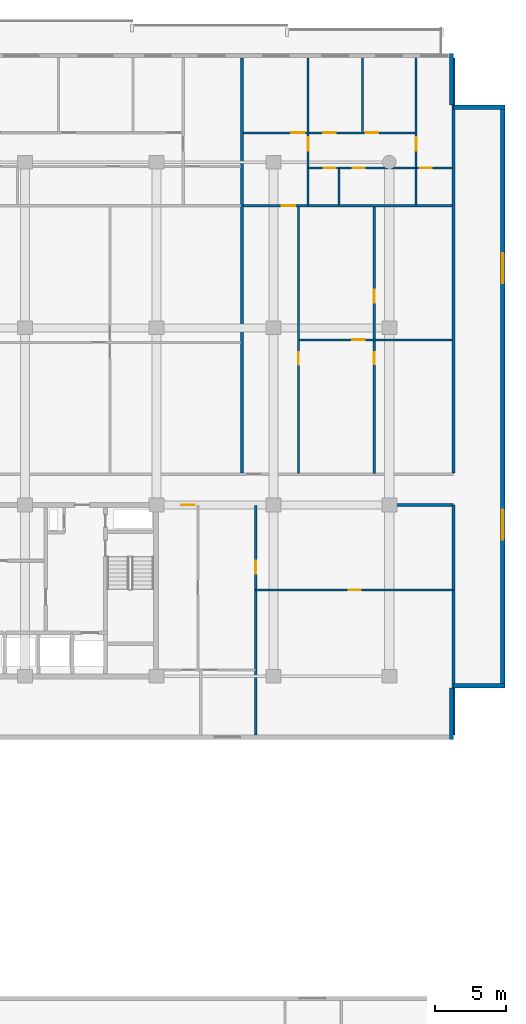
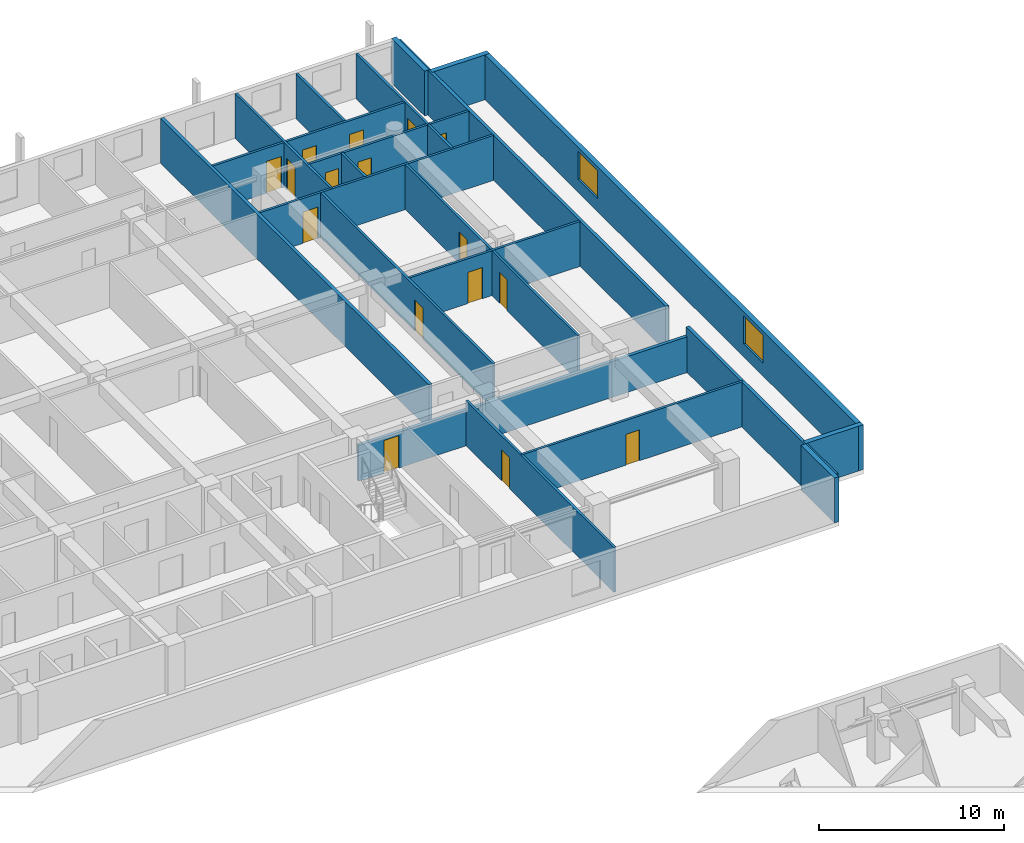
# One storey, part 17 of 23: 22 walls, 16 doors, 2 windows, 18 openings.
"""IFC4 building model written with IfcOpenShell, lengths in metres."""

import ifcopenshell
import ifcopenshell.guid

model = None  # the IFC model being written
_history = None  # IfcOwnerHistory: only IFC2X3 demands one
_inside = {}  # id of a spatial element -> (the spatial element, [elements in it])
_under = {}  # id of a project, library or spatial element -> (it, [spatial elements below it])
_declared = {}  # id of a project -> (the project, [libraries it declares])
_typed = {}  # id of a type object -> (the type object, [elements of that type])
_made_of = {}  # id of a material, layer set ... -> (it, [elements and type objects made of it])


def new_model(schema):
    """Start an empty IFC model of exactly this schema.

    Asked for "IFC4X3", IfcOpenShell would pick the latest addendum, in which some entities
    have other attributes; the version numbers below select the first issue.
    IFC2X3 requires an IfcOwnerHistory on every rooted entity: one is made here for all.
    """
    global model, _history
    if schema == "IFC4X3":
        model = ifcopenshell.file(schema_version=(4, 3, 0, 0))
    else:
        model = ifcopenshell.file(schema=schema)
    _inside.clear()
    _under.clear()
    _declared.clear()
    _typed.clear()
    _made_of.clear()
    _history = None
    if model.schema == "IFC2X3":
        org = make("IfcOrganization", Name="unknown")
        user = make(
            "IfcPersonAndOrganization",
            ThePerson=make("IfcPerson", FamilyName="unknown"),
            TheOrganization=org,
        )
        app = make(
            "IfcApplication",
            ApplicationDeveloper=org,
            Version="unknown",
            ApplicationFullName="unknown",
            ApplicationIdentifier="unknown",
        )
        _history = make(
            "IfcOwnerHistory",
            OwningUser=user,
            OwningApplication=app,
            ChangeAction="ADDED",
            CreationDate=0,
        )
    return model


def make(cls, **values):
    """One entity of the class cls with the attributes given. An attribute that is None is left unset."""
    return model.create_entity(
        cls, **{name: value for name, value in values.items() if value is not None}
    )


def rooted(cls, **values):
    """An entity with a GlobalId (a new one), such as an element, a storey or a relation."""
    return make(cls, GlobalId=ifcopenshell.guid.new(), OwnerHistory=_history, **values)


def si_unit(unit_type, name, prefix=None):
    """IfcSIUnit, for example si_unit("LENGTHUNIT", "METRE", prefix="MILLI")."""
    return make("IfcSIUnit", UnitType=unit_type, Prefix=prefix, Name=name)


def assignment(units):
    """IfcUnitAssignment: the units of a project."""
    return None if units is None else make("IfcUnitAssignment", Units=units)


def point(xyz):
    """IfcCartesianPoint."""
    return None if xyz is None else make("IfcCartesianPoint", Coordinates=xyz)


def direction(xyz):
    """IfcDirection."""
    return None if xyz is None else make("IfcDirection", DirectionRatios=xyz)


def frame(location, z_axis=None, x_axis=None):
    """IfcAxis2Placement3D, a coordinate frame: its origin and axes. An axis left out is left unset."""
    return make(
        "IfcAxis2Placement3D",
        Location=point(location),
        Axis=direction(z_axis),
        RefDirection=direction(x_axis),
    )


def frame_2d(location, x_axis=None):
    """IfcAxis2Placement2D, a coordinate frame in the plane: its origin and x axis."""
    return make(
        "IfcAxis2Placement2D", Location=point(location), RefDirection=direction(x_axis)
    )


def origin():
    """The frame at (0, 0, 0) with its axes left unset."""
    return frame((0.0, 0.0, 0.0))


def place(relative_to, where):
    """IfcLocalPlacement: puts the frame where relative to a parent placement (None: the world)."""
    return make(
        "IfcLocalPlacement", PlacementRelTo=relative_to, RelativePlacement=where
    )


def context(
    kind, dimensions, precision=None, world=None, true_north=None, identifier=None
):
    """IfcGeometricRepresentationContext, for example the 3D "Model" context."""
    return make(
        "IfcGeometricRepresentationContext",
        ContextIdentifier=identifier,
        ContextType=kind,
        CoordinateSpaceDimension=dimensions,
        Precision=precision,
        WorldCoordinateSystem=world,
        TrueNorth=true_north,
    )


def subcontext(parent, identifier, kind, view, scale=None):
    """IfcGeometricRepresentationSubContext, for example "Body" below "Model"."""
    return make(
        "IfcGeometricRepresentationSubContext",
        ContextIdentifier=identifier,
        ContextType=kind,
        ParentContext=parent,
        TargetScale=scale,
        TargetView=view,
    )


def project(units=None, contexts=None):
    """IfcProject with its units and contexts."""
    return rooted(
        "IfcProject",
        Name="project",
        RepresentationContexts=contexts,
        UnitsInContext=assignment(units),
    )


def spatial(cls, under=None, at=None, **own):
    """A site, building, storey or space (cls), placed at a placement, below another one or the project."""
    s = rooted(cls, ObjectPlacement=at, **own)
    if under is not None:
        _under.setdefault(under.id(), (under, []))[1].append(s)
    return s


def profile(cls, at=None, kind="AREA", **sizes):
    """A parametric profile (cls). Its sizes go by their IFC names, for example OverallWidth=200.0."""
    return make(cls, ProfileType=kind, Position=at, **sizes)


def rectangle(**sizes):
    """IfcRectangleProfileDef."""
    return profile("IfcRectangleProfileDef", **sizes)


def extrude(swept, where, along, depth):
    """IfcExtrudedAreaSolid: the profile swept, set in the frame where, extruded along a direction by depth."""
    return make(
        "IfcExtrudedAreaSolid",
        SweptArea=swept,
        Position=where,
        ExtrudedDirection=direction(along),
        Depth=depth,
    )


def shape(context_of_items, identifier, shape_type, items):
    """IfcShapeRepresentation: the items that make up one representation, for example the "Body"."""
    return make(
        "IfcShapeRepresentation",
        ContextOfItems=context_of_items,
        RepresentationIdentifier=identifier,
        RepresentationType=shape_type,
        Items=items,
    )


def material(Name=None, Category=None):
    """IfcMaterial."""
    return make("IfcMaterial", Name=Name, Category=Category)


def layer(
    of_material, thickness, ventilated=None, Name=None, Category=None, Priority=None
):
    """IfcMaterialLayer: one layer of a wall or slab, of a material (None: an air gap)."""
    return make(
        "IfcMaterialLayer",
        Material=of_material,
        LayerThickness=thickness,
        IsVentilated=ventilated,
        Name=Name,
        Category=Category,
        Priority=Priority,
    )


def layer_set(layers, Name=None):
    """IfcMaterialLayerSet."""
    return make("IfcMaterialLayerSet", MaterialLayers=layers, LayerSetName=Name)


def made_of(thing, what):
    """Note that an element or type object is made of a material, layer set ...; save() writes the relation."""
    if what is not None:
        _made_of.setdefault(what.id(), (what, []))[1].append(thing)
    return thing


def type_object(cls, material=None, **own):
    """A type object (cls), such as IfcWallType, which elements share."""
    return made_of(rooted(cls, **own), material)


def element(
    cls,
    number,
    at=None,
    inside=None,
    cuts=None,
    type_object=None,
    material=None,
    context=None,
    identifier="Body",
    shape_type=None,
    held_by="IfcProductDefinitionShape",
    body=None,
    shapes=None,
    **own,
):
    """One element of the class cls, such as IfcWall. Its Tag is "e" and its number.

    at: its placement. inside: the storey or other place that contains it. cuts: it is an
    opening in that element (IfcRelVoidsElement). A single representation is given by context,
    identifier, shape_type and body (its items); several are given by shapes. held_by: the class
    of the entity that holds the representations. save() writes the other relations.
    """
    e = rooted(cls, Tag="e%d" % number, ObjectPlacement=at, **own)
    if body is not None:
        shapes = [shape(context, identifier, shape_type, body)]
    if shapes is not None:
        e.Representation = make(held_by, Representations=shapes)
    if inside is not None:
        _inside.setdefault(inside.id(), (inside, []))[1].append(e)
    if cuts is not None:
        rooted(
            "IfcRelVoidsElement", RelatingBuildingElement=cuts, RelatedOpeningElement=e
        )
    if type_object is not None:
        _typed.setdefault(type_object.id(), (type_object, []))[1].append(e)
    return made_of(e, material)


def fill(opening, filler):
    """IfcRelFillsElement: the door or window that sits in an opening."""
    return rooted(
        "IfcRelFillsElement",
        RelatingOpeningElement=opening,
        RelatedBuildingElement=filler,
    )


def aggregate(whole, parts):
    """IfcRelAggregates: a whole, such as a stair, and the parts it consists of."""
    return rooted("IfcRelAggregates", RelatingObject=whole, RelatedObjects=parts)


def save(model, path):
    """Write the relations noted so far, then the file.

    IfcRelAggregates (storeys below a building ...), IfcRelContainedInSpatialStructure (elements
    in a storey), IfcRelDefinesByType, IfcRelAssociatesMaterial and IfcRelDeclares: one each for
    every whole, place, type object, material and project.
    """
    for whole, parts in _under.values():
        aggregate(whole, parts)
    for where, things in _inside.values():
        rooted(
            "IfcRelContainedInSpatialStructure",
            RelatedElements=things,
            RelatingStructure=where,
        )
    for kind, things in _typed.values():
        rooted("IfcRelDefinesByType", RelatedObjects=things, RelatingType=kind)
    for what, things in _made_of.values():
        rooted("IfcRelAssociatesMaterial", RelatedObjects=things, RelatingMaterial=what)
    for by, libraries in _declared.values():
        rooted("IfcRelDeclares", RelatingContext=by, RelatedDefinitions=libraries)
    model.write(path)


model = new_model("IFC4")

# Units and contexts
model_context = context("Model", 3, precision=1e-05, world=origin(), true_north=direction((0.0, 1.0)))
body_context = subcontext(model_context, "Body", "Model", "MODEL_VIEW")
ifc_project = project(units=[si_unit("LENGTHUNIT", "METRE"), si_unit("AREAUNIT", "SQUARE_METRE"), si_unit("VOLUMEUNIT", "CUBIC_METRE"), si_unit("PLANEANGLEUNIT", "RADIAN"), si_unit("MASSUNIT", "GRAM", prefix="KILO")], contexts=[model_context])

# Site, building, storey
site_placement = place(None, origin())
site = spatial("IfcSite", under=ifc_project, at=site_placement, CompositionType="ELEMENT")
building_placement = place(site_placement, origin())
building = spatial("IfcBuilding", under=site, at=building_placement, Name="Korimba Cascade Residences", CompositionType="ELEMENT")
storey_placement = place(building_placement, frame((0.0, 0.0, 56.5)))
storey = spatial("IfcBuildingStorey", under=building, at=storey_placement, Name="L15", CompositionType="ELEMENT", Elevation=56.5)

# Walls
ifc_material_1 = material(Name="Precast concrete C40/50", Category="concrete")
ifc_layer_1 = layer(ifc_material_1, 0.300048828125)
ifc_layer_set_1 = layer_set([ifc_layer_1], Name="Precast concrete C40/50")
wall_type_1 = type_object("IfcWallType", Name="EW-STONE-300", PredefinedType="STANDARD", material=ifc_layer_set_1)
wall_1_placement = place(storey_placement, frame((132.75, 50.800048828125, 0.0), z_axis=(0.0, 0.0, 1.0), x_axis=(0.0, 1.0, 0.0)))
element("IfcWall", 1, at=wall_1_placement, inside=storey, type_object=wall_type_1, Name="L15 T1 Perimeter Stone Wall E01", PredefinedType="STANDARD", context=body_context, shape_type="SweptSolid", body=[
    extrude(rectangle(XDim=3.599853515625, YDim=0.300048828125, at=frame_2d((1.7998046875, 0.0))), origin(), (0.0, 0.0, 1.0), 2.969970703125),
])
wall_2_placement = place(storey_placement, frame((132.89990234375, 54.550048828125, 0.0), z_axis=(0.0, 0.0, 1.0), x_axis=(1.0, 0.0, 0.0)))
element("IfcWall", 2, at=wall_2_placement, inside=storey, type_object=wall_type_1, Name="L15 T1 Perimeter Stone Wall E02", PredefinedType="STANDARD", context=body_context, shape_type="SweptSolid", body=[
    extrude(rectangle(XDim=3.60009765625, YDim=0.300048828125, at=frame_2d((1.800048828125, 0.0))), origin(), (0.0, 0.0, 1.0), 2.969970703125),
])

# Wall, openings, windows
wall_3_placement = place(storey_placement, frame((136.35009765625, 54.39990234375, 0.0), z_axis=(0.0, 0.0, 1.0), x_axis=(0.0, 1.0, 0.0)))
wall_3 = element("IfcWall", 3, at=wall_3_placement, inside=storey, type_object=wall_type_1, Name="L15 T1 Perimeter Stone Wall E03", PredefinedType="STANDARD", context=body_context, shape_type="SweptSolid", body=[
    extrude(rectangle(XDim=40.800048828125, YDim=0.300048828125, at=frame_2d((20.39990234375, 0.0))), origin(), (0.0, 0.0, 1.0), 2.969970703125),
])
opening_1_placement = place(wall_3_placement, frame((10.3740234375, 0.0, 0.85009765625)))
opening_1 = element("IfcOpeningElement", 4, at=opening_1_placement, cuts=wall_3, Name="Opening W-03", PredefinedType="OPENING", context=body_context, shape_type="SweptSolid", body=[
    extrude(rectangle(XDim=2.10009765625, YDim=1.85009765625, at=frame_2d((1.050048828125, 0.925048828125))), frame((0.0, 0.16015625, 0.0), z_axis=(0.0, -1.0, 0.0), x_axis=(1.0, 0.0, 0.0)), (0.0, 0.0, 1.0), 0.320068359375),
])
opening_2_placement = place(wall_3_placement, frame((28.325927734375, 0.0, 0.85009765625)))
opening_2 = element("IfcOpeningElement", 5, at=opening_2_placement, cuts=wall_3, Name="Opening W-03", PredefinedType="OPENING", context=body_context, shape_type="SweptSolid", body=[
    extrude(rectangle(XDim=2.10009765625, YDim=1.85009765625, at=frame_2d((1.050048828125, 0.925048828125))), frame((0.0, 0.16015625, 0.0), z_axis=(0.0, -1.0, 0.0), x_axis=(1.0, 0.0, 0.0)), (0.0, 0.0, 1.0), 0.320068359375),
])
ifc_material_2 = material(Name="Double-Glazed Aluminium Window", Category="aluminium")
window_type = type_object("IfcWindowType", Name="WIN-CRN-2100", PartitioningType="DOUBLE_PANEL_HORIZONTAL", PredefinedType="WINDOW", material=ifc_material_2)
window_1_placement = place(opening_1_placement, origin())
window_1 = element("IfcWindow", 6, at=window_1_placement, inside=storey, type_object=window_type, Name="L15 T1 End View Window 3.1", OverallHeight=1.85009765625, OverallWidth=2.10009765625, PartitioningType="DOUBLE_PANEL_HORIZONTAL", PredefinedType="WINDOW", context=body_context, shape_type="SweptSolid", body=[
    extrude(rectangle(XDim=2.10009765625, YDim=1.85009765625, at=frame_2d((1.050048828125, 0.925048828125))), frame((0.0, 0.030029296875, 0.0), z_axis=(0.0, -1.0, 0.0), x_axis=(1.0, 0.0, 0.0)), (0.0, 0.0, 1.0), 0.06005859375),
])
fill(opening_1, window_1)
window_2_placement = place(opening_2_placement, origin())
window_2 = element("IfcWindow", 7, at=window_2_placement, inside=storey, type_object=window_type, Name="L15 T1 End View Window 3.2", OverallHeight=1.85009765625, OverallWidth=2.10009765625, PartitioningType="DOUBLE_PANEL_HORIZONTAL", PredefinedType="WINDOW", context=body_context, shape_type="SweptSolid", body=[
    extrude(rectangle(XDim=2.10009765625, YDim=1.85009765625, at=frame_2d((1.050048828125, 0.925048828125))), frame((0.0, 0.030029296875, 0.0), z_axis=(0.0, -1.0, 0.0), x_axis=(1.0, 0.0, 0.0)), (0.0, 0.0, 1.0), 0.06005859375),
])
fill(opening_2, window_2)

# Walls
for number, where, z_axis, x_axis, name in (
    (8, (136.5, 95.050048828125, 0.0), (0.0, 0.0, 1.0), (-1.0, 0.0, 0.0), "L15 T1 Perimeter Stone Wall E04"),
    (9, (132.75, 95.199951171875, 0.0), (0.0, 0.0, 1.0), (0.0, 1.0, 0.0), "L15 T1 Perimeter Stone Wall E05"),
):
    element("IfcWall", number, at=place(storey_placement, frame(where, z_axis=z_axis, x_axis=x_axis)), inside=storey, type_object=wall_type_1, Name=name, PredefinedType="STANDARD", context=body_context, shape_type="SweptSolid", body=[
        extrude(rectangle(XDim=3.60009765625, YDim=0.300048828125, at=frame_2d((1.800048828125, 0.0))), origin(), (0.0, 0.0, 1.0), 2.969970703125),
    ])
ifc_layer_2 = layer(ifc_material_1, 0.199951171875)
ifc_layer_set_2 = layer_set([ifc_layer_2], Name="Precast concrete C40/50")
wall_type_2 = type_object("IfcWallType", Name="WAL-IT-200", PredefinedType="PARTITIONING", material=ifc_layer_set_2)
wall_4_placement = place(storey_placement, frame((132.89990234375, 51.10009765625, 0.0), z_axis=(0.0, 0.0, 1.0), x_axis=(0.0, 1.0, 0.0)))
element("IfcWall", 10, at=wall_4_placement, inside=storey, type_object=wall_type_2, Name="L15 Partition Wall WAL-L15-T1-FE-WR", PredefinedType="PARTITIONING", context=body_context, shape_type="SweptSolid", body=[
    extrude(rectangle(XDim=16.099853515625, YDim=0.199951171875, at=frame_2d((8.0498046875, 0.0))), origin(), (0.0, 0.0, 1.0), 2.969970703125),
])

# Wall, opening, door
wall_5_placement = place(storey_placement, frame((112.25, 67.199951171875, 0.0), z_axis=(0.0, 0.0, 1.0), x_axis=(1.0, 0.0, 0.0)))
wall_5 = element("IfcWall", 11, at=wall_5_placement, inside=storey, type_object=wall_type_2, Name="L15 Partition Wall WAL-L15-T1-FE-N", PredefinedType="PARTITIONING", context=body_context, shape_type="SweptSolid", body=[
    extrude(rectangle(XDim=20.64990234375, YDim=0.199951171875, at=frame_2d((10.324951171875, 0.0))), origin(), (0.0, 0.0, 1.0), 2.3701171875),
])
opening_3_placement = place(wall_5_placement, frame((1.580078125, 0.0, 0.0)))
opening_3 = element("IfcOpeningElement", 12, at=opening_3_placement, cuts=wall_5, Name="Opening D-UN1", PredefinedType="OPENING", context=body_context, shape_type="SweptSolid", body=[
    extrude(rectangle(XDim=0.949951171875, YDim=2.14990234375, at=frame_2d((0.47509765625, 1.074951171875))), frame((0.0, 0.10986328125, 0.0), z_axis=(0.0, -1.0, 0.0), x_axis=(1.0, 0.0, 0.0)), (0.0, 0.0, 1.0), 0.219970703125),
])
ifc_material_3 = material(Name="Fire-Rated Hardwood Apartment Entrance Door", Category="wood")
door_type_1 = type_object("IfcDoorType", Name="DR-FD60-950", OperationType="NOTDEFINED", PredefinedType="DOOR", material=ifc_material_3)
door_1_placement = place(opening_3_placement, origin())
door_1 = element("IfcDoor", 13, at=door_1_placement, inside=storey, type_object=door_type_1, Name="L15-T1-FE Entrance Door", OperationType="SINGLE_SWING_LEFT", OverallHeight=2.14990234375, OverallWidth=0.949951171875, PredefinedType="DOOR", context=body_context, shape_type="SweptSolid", body=[
    extrude(rectangle(XDim=0.949951171875, YDim=2.14990234375, at=frame_2d((0.47509765625, 1.074951171875))), frame((0.0, 0.02490234375, 0.0), z_axis=(0.0, -1.0, 0.0), x_axis=(1.0, 0.0, 0.0)), (0.0, 0.0, 1.0), 0.050048828125),
])
fill(opening_3, door_1)

# Walls
for number, where, z_axis, x_axis, name in (
    (14, (132.89990234375, 69.429931640625, 0.0), (0.0, 0.0, 1.0), (0.0, 1.0, 0.0), "L15 Partition Wall WAL-L15-T1-BNDWR"),
    (15, (118.0830078125, 69.429931640625, 0.0), (0.0, 0.0, 1.0), (0.0, 1.0, 0.0), "L15 Partition Wall WAL-L15-T1-DEM-3"),
):
    element("IfcWall", number, at=place(storey_placement, frame(where, z_axis=z_axis, x_axis=x_axis)), inside=storey, type_object=wall_type_2, Name=name, PredefinedType="PARTITIONING", context=body_context, shape_type="SweptSolid", body=[
        extrude(rectangle(XDim=29.070068359375, YDim=0.199951171875, at=frame_2d((14.53515625, 0.0))), origin(), (0.0, 0.0, 1.0), 2.969970703125),
    ])

# Wall, opening, door
ifc_material_4 = material(Name="Insulated Acoustic Stud Partition", Category="gypsum")
ifc_layer_3 = layer(ifc_material_4, 0.14990234375)
ifc_layer_set_3 = layer_set([ifc_layer_3], Name="Insulated Acoustic Stud Partition")
wall_type_3 = type_object("IfcWallType", Name="WAL-PART-150", PredefinedType="PARTITIONING", material=ifc_layer_set_3)
wall_6_placement = place(storey_placement, frame((119.050048828125, 61.25, 0.0), z_axis=(0.0, 0.0, 1.0), x_axis=(1.0, 0.0, 0.0)))
wall_6 = element("IfcWall", 16, at=wall_6_placement, inside=storey, type_object=wall_type_3, Name="L15 Partition Wall WAL-L15-T1-FE-STH", PredefinedType="PARTITIONING", context=body_context, shape_type="SweptSolid", body=[
    extrude(rectangle(XDim=13.849853515625, YDim=0.14990234375, at=frame_2d((6.9248046875, 0.0))), origin(), (0.0, 0.0, 1.0), 2.969970703125),
])
opening_4_placement = place(wall_6_placement, frame((6.5048828125, 0.0, 0.0)))
opening_4 = element("IfcOpeningElement", 17, at=opening_4_placement, cuts=wall_6, Name="Opening D-BT1", PredefinedType="OPENING", context=body_context, shape_type="SweptSolid", body=[
    extrude(rectangle(XDim=0.840087890625, YDim=2.0400390625, at=frame_2d((0.419921875, 1.02001953125))), frame((0.0, 0.0849609375, 0.0), z_axis=(0.0, -1.0, 0.0), x_axis=(1.0, 0.0, 0.0)), (0.0, 0.0, 1.0), 0.169921875),
])
ifc_material_5 = material(Name="Moisture-Resistant Bathroom Timber Door", Category="wood")
door_type_2 = type_object("IfcDoorType", Name="DR-INT-850", OperationType="NOTDEFINED", PredefinedType="DOOR", material=ifc_material_5)
door_2_placement = place(opening_4_placement, origin())
door_2 = element("IfcDoor", 18, at=door_2_placement, inside=storey, type_object=door_type_2, Name="L15-T1-FE Dressing Store Door", OperationType="SINGLE_SWING_RIGHT", OverallHeight=2.0400390625, OverallWidth=0.840087890625, PredefinedType="DOOR", context=body_context, shape_type="SweptSolid", body=[
    extrude(rectangle(XDim=0.840087890625, YDim=2.0400390625, at=frame_2d((0.419921875, 1.02001953125))), frame((0.0, 0.02490234375, 0.0), z_axis=(0.0, -1.0, 0.0), x_axis=(1.0, 0.0, 0.0)), (0.0, 0.0, 1.0), 0.050048828125),
])
fill(opening_4, door_2)

wall_7_placement = place(storey_placement, frame((119.050048828125, 51.10009765625, 0.0), z_axis=(0.0, 0.0, 1.0), x_axis=(0.0, 1.0, 0.0)))
wall_7 = element("IfcWall", 19, at=wall_7_placement, inside=storey, type_object=wall_type_3, Name="L15 Partition Wall WAL-L15-T1-FE-STV", PredefinedType="PARTITIONING", context=body_context, shape_type="SweptSolid", body=[
    extrude(rectangle(XDim=16.0498046875, YDim=0.14990234375, at=frame_2d((8.02490234375, 0.0))), origin(), (0.0, 0.0, 1.0), 2.969970703125),
])
opening_5_placement = place(wall_7_placement, frame((11.300048828125, 0.0, 0.0)))
opening_5 = element("IfcOpeningElement", 20, at=opening_5_placement, cuts=wall_7, Name="Opening D-IN2", PredefinedType="OPENING", context=body_context, shape_type="SweptSolid", body=[
    extrude(rectangle(XDim=0.8798828125, YDim=2.06005859375, at=frame_2d((0.43994140625, 1.030029296875))), frame((0.0, 0.0849609375, 0.0), z_axis=(0.0, -1.0, 0.0), x_axis=(1.0, 0.0, 0.0)), (0.0, 0.0, 1.0), 0.169921875),
])
ifc_material_6 = material(Name="Acoustic Timber Bedroom Door", Category="wood")
door_type_3 = type_object("IfcDoorType", Name="DR-INT-880", OperationType="NOTDEFINED", PredefinedType="DOOR", material=ifc_material_6)
door_3_placement = place(opening_5_placement, origin())
door_3 = element("IfcDoor", 21, at=door_3_placement, inside=storey, type_object=door_type_3, Name="L15-T1-FE Study Door", OperationType="SINGLE_SWING_LEFT", OverallHeight=2.06005859375, OverallWidth=0.8798828125, PredefinedType="DOOR", context=body_context, shape_type="SweptSolid", body=[
    extrude(rectangle(XDim=0.8798828125, YDim=2.06005859375, at=frame_2d((0.43994140625, 1.030029296875))), frame((0.0, 0.02490234375, 0.0), z_axis=(0.0, -1.0, 0.0), x_axis=(1.0, 0.0, 0.0)), (0.0, 0.0, 1.0), 0.050048828125),
])
fill(opening_5, door_3)

# Wall, openings, doors
wall_8_placement = place(storey_placement, frame((127.346435546875, 69.409912109375, 0.0), z_axis=(0.0, 0.0, 1.0), x_axis=(0.0, 1.0, 0.0)))
wall_8 = element("IfcWall", 22, at=wall_8_placement, inside=storey, type_object=wall_type_3, Name="L15 Partition Wall WAL-L15-T1-U04-FMV", PredefinedType="PARTITIONING", context=body_context, shape_type="SweptSolid", body=[
    extrude(rectangle(XDim=18.7001953125, YDim=0.14990234375, at=frame_2d((9.35009765625, 0.0))), origin(), (0.0, 0.0, 1.0), 2.969970703125),
])
opening_6_placement = place(wall_8_placement, frame((7.627197265625, 0.0, 0.0)))
opening_6 = element("IfcOpeningElement", 23, at=opening_6_placement, cuts=wall_8, Name="Opening D-BT1", PredefinedType="OPENING", context=body_context, shape_type="SweptSolid", body=[
    extrude(rectangle(XDim=0.840087890625, YDim=2.0400390625, at=frame_2d((0.419921875, 1.02001953125))), frame((0.0, 0.0849609375, 0.0), z_axis=(0.0, -1.0, 0.0), x_axis=(1.0, 0.0, 0.0)), (0.0, 0.0, 1.0), 0.169921875),
])
opening_7_placement = place(wall_8_placement, frame((11.9609375, 0.0, 0.0)))
opening_7 = element("IfcOpeningElement", 24, at=opening_7_placement, cuts=wall_8, Name="Opening D-IN2", PredefinedType="OPENING", context=body_context, shape_type="SweptSolid", body=[
    extrude(rectangle(XDim=0.8798828125, YDim=2.06005859375, at=frame_2d((0.43994140625, 1.030029296875))), frame((0.0, 0.0849609375, 0.0), z_axis=(0.0, -1.0, 0.0), x_axis=(1.0, 0.0, 0.0)), (0.0, 0.0, 1.0), 0.169921875),
])
door_4_placement = place(opening_6_placement, origin())
door_4 = element("IfcDoor", 25, at=door_4_placement, inside=storey, type_object=door_type_2, Name="L15-T1-U04 Wardrobe Door", OperationType="SINGLE_SWING_RIGHT", OverallHeight=2.0400390625, OverallWidth=0.840087890625, PredefinedType="DOOR", context=body_context, shape_type="SweptSolid", body=[
    extrude(rectangle(XDim=0.840087890625, YDim=2.0400390625, at=frame_2d((0.419921875, 1.02001953125))), frame((0.0, 0.02490234375, 0.0), z_axis=(0.0, -1.0, 0.0), x_axis=(1.0, 0.0, 0.0)), (0.0, 0.0, 1.0), 0.050048828125),
])
fill(opening_6, door_4)
door_5_placement = place(opening_7_placement, origin())
door_5 = element("IfcDoor", 26, at=door_5_placement, inside=storey, type_object=door_type_3, Name="L15-T1-U04 Music Lounge Door", OperationType="SINGLE_SWING_LEFT", OverallHeight=2.06005859375, OverallWidth=0.8798828125, PredefinedType="DOOR", context=body_context, shape_type="SweptSolid", body=[
    extrude(rectangle(XDim=0.8798828125, YDim=2.06005859375, at=frame_2d((0.43994140625, 1.030029296875))), frame((0.0, 0.02490234375, 0.0), z_axis=(0.0, -1.0, 0.0), x_axis=(1.0, 0.0, 0.0)), (0.0, 0.0, 1.0), 0.050048828125),
])
fill(opening_7, door_5)

# Wall, opening, door
wall_9_placement = place(storey_placement, frame((122.113037109375, 78.760009765625, 0.0), z_axis=(0.0, 0.0, 1.0), x_axis=(1.0, 0.0, 0.0)))
wall_9 = element("IfcWall", 27, at=wall_9_placement, inside=storey, type_object=wall_type_3, Name="L15 Partition Wall WAL-L15-T1-U04-FMH", PredefinedType="PARTITIONING", context=body_context, shape_type="SweptSolid", body=[
    extrude(rectangle(XDim=10.70703125, YDim=0.14990234375, at=frame_2d((5.353515625, 0.0))), origin(), (0.0, 0.0, 1.0), 2.969970703125),
])
opening_8_placement = place(wall_9_placement, frame((3.679443359375, 0.0, 0.0)))
opening_8 = element("IfcOpeningElement", 28, at=opening_8_placement, cuts=wall_9, Name="Opening D-IN2", PredefinedType="OPENING", context=body_context, shape_type="SweptSolid", body=[
    extrude(rectangle(XDim=0.8798828125, YDim=2.06005859375, at=frame_2d((0.43994140625, 1.030029296875))), frame((0.0, 0.0849609375, 0.0), z_axis=(0.0, -1.0, 0.0), x_axis=(1.0, 0.0, 0.0)), (0.0, 0.0, 1.0), 0.169921875),
])
door_6_placement = place(opening_8_placement, origin())
door_6 = element("IfcDoor", 29, at=door_6_placement, inside=storey, type_object=door_type_3, Name="L15-T1-U04 Library Salon Door", OperationType="SINGLE_SWING_RIGHT", OverallHeight=2.06005859375, OverallWidth=0.8798828125, PredefinedType="DOOR", context=body_context, shape_type="SweptSolid", body=[
    extrude(rectangle(XDim=0.8798828125, YDim=2.06005859375, at=frame_2d((0.43994140625, 1.030029296875))), frame((0.0, 0.02490234375, 0.0), z_axis=(0.0, -1.0, 0.0), x_axis=(1.0, 0.0, 0.0)), (0.0, 0.0, 1.0), 0.050048828125),
])
fill(opening_8, door_6)

wall_10_placement = place(storey_placement, frame((122.052978515625, 69.409912109375, 0.0), z_axis=(0.0, 0.0, 1.0), x_axis=(0.0, 1.0, 0.0)))
wall_10 = element("IfcWall", 30, at=wall_10_placement, inside=storey, type_object=wall_type_3, Name="L15 Partition Wall WAL-L15-T1-U04-FV", PredefinedType="PARTITIONING", context=body_context, shape_type="SweptSolid", body=[
    extrude(rectangle(XDim=18.7001953125, YDim=0.14990234375, at=frame_2d((9.35009765625, 0.0))), origin(), (0.0, 0.0, 1.0), 2.969970703125),
])
opening_9_placement = place(wall_10_placement, frame((7.59033203125, 0.0, 0.0)))
opening_9 = element("IfcOpeningElement", 31, at=opening_9_placement, cuts=wall_10, Name="Opening D-IN2", PredefinedType="OPENING", context=body_context, shape_type="SweptSolid", body=[
    extrude(rectangle(XDim=0.8798828125, YDim=2.06005859375, at=frame_2d((0.43994140625, 1.030029296875))), frame((0.0, 0.0849609375, 0.0), z_axis=(0.0, -1.0, 0.0), x_axis=(1.0, 0.0, 0.0)), (0.0, 0.0, 1.0), 0.169921875),
])
door_7_placement = place(opening_9_placement, origin())
door_7 = element("IfcDoor", 32, at=door_7_placement, inside=storey, type_object=door_type_3, Name="L15-T1-U04 Media Lounge Door", OperationType="SINGLE_SWING_LEFT", OverallHeight=2.06005859375, OverallWidth=0.8798828125, PredefinedType="DOOR", context=body_context, shape_type="SweptSolid", body=[
    extrude(rectangle(XDim=0.8798828125, YDim=2.06005859375, at=frame_2d((0.43994140625, 1.030029296875))), frame((0.0, 0.02490234375, 0.0), z_axis=(0.0, -1.0, 0.0), x_axis=(1.0, 0.0, 0.0)), (0.0, 0.0, 1.0), 0.050048828125),
])
fill(opening_9, door_7)

# Walls
wall_11_placement = place(storey_placement, frame((124.871826171875, 88.18994140625, 0.0), z_axis=(0.0, 0.0, 1.0), x_axis=(0.0, 1.0, 0.0)))
element("IfcWall", 33, at=wall_11_placement, inside=storey, type_object=wall_type_3, Name="L15 Partition Wall WAL-L15-T1-U04-VDRS", PredefinedType="PARTITIONING", context=body_context, shape_type="SweptSolid", body=[
    extrude(rectangle(XDim=2.580078125, YDim=0.14990234375, at=frame_2d((1.2900390625, 0.0))), origin(), (0.0, 0.0, 1.0), 2.969970703125),
])
wall_12_placement = place(storey_placement, frame((126.52001953125, 93.330078125, 0.0), z_axis=(0.0, 0.0, 1.0), x_axis=(0.0, 1.0, 0.0)))
element("IfcWall", 34, at=wall_12_placement, inside=storey, type_object=wall_type_3, Name="L15 Partition Wall WAL-L15-T1-U04-VSTD", PredefinedType="PARTITIONING", context=body_context, shape_type="SweptSolid", body=[
    extrude(rectangle(XDim=5.169921875, YDim=0.14990234375, at=frame_2d((2.5849609375, 0.0))), origin(), (0.0, 0.0, 1.0), 2.969970703125),
])

# Wall, opening, door
wall_13_placement = place(storey_placement, frame((122.721923828125, 88.18994140625, 0.0), z_axis=(0.0, 0.0, 1.0), x_axis=(0.0, 1.0, 0.0)))
wall_13 = element("IfcWall", 35, at=wall_13_placement, inside=storey, type_object=wall_type_3, Name="L15 Partition Wall WAL-L15-T1-U04-V1", PredefinedType="PARTITIONING", context=body_context, shape_type="SweptSolid", body=[
    extrude(rectangle(XDim=10.31005859375, YDim=0.14990234375, at=frame_2d((5.155029296875, 0.0))), origin(), (0.0, 0.0, 1.0), 2.969970703125),
])
opening_10_placement = place(wall_13_placement, frame((3.820068359375, 0.0, 0.0)))
opening_10 = element("IfcOpeningElement", 36, at=opening_10_placement, cuts=wall_13, Name="Opening D-IN1", PredefinedType="OPENING", context=body_context, shape_type="SweptSolid", body=[
    extrude(rectangle(XDim=0.919921875, YDim=2.080078125, at=frame_2d((0.4599609375, 1.0400390625))), frame((0.0, 0.0849609375, 0.0), z_axis=(0.0, -1.0, 0.0), x_axis=(1.0, 0.0, 0.0)), (0.0, 0.0, 1.0), 0.169921875),
])
ifc_material_7 = material(Name="Acoustic Timber Living Door", Category="wood")
door_type_4 = type_object("IfcDoorType", Name="DR-INT-920", OperationType="NOTDEFINED", PredefinedType="DOOR", material=ifc_material_7)
door_8_placement = place(opening_10_placement, origin())
door_8 = element("IfcDoor", 37, at=door_8_placement, inside=storey, type_object=door_type_4, Name="L15-T1-U04 Hallway Door", OperationType="SINGLE_SWING_RIGHT", OverallHeight=2.080078125, OverallWidth=0.919921875, PredefinedType="DOOR", context=body_context, shape_type="SweptSolid", body=[
    extrude(rectangle(XDim=0.919921875, YDim=2.080078125, at=frame_2d((0.4599609375, 1.0400390625))), frame((0.0, 0.02490234375, 0.0), z_axis=(0.0, -1.0, 0.0), x_axis=(1.0, 0.0, 0.0)), (0.0, 0.0, 1.0), 0.050048828125),
])
fill(opening_10, door_8)

# Wall
wall_14_placement = place(storey_placement, frame((130.280029296875, 88.18994140625, 0.0), z_axis=(0.0, 0.0, 1.0), x_axis=(0.0, 1.0, 0.0)))
element("IfcWall", 38, at=wall_14_placement, inside=storey, type_object=wall_type_3, Name="L15 Partition Wall WAL-L15-T1-U04-VBATH", PredefinedType="PARTITIONING", context=body_context, shape_type="SweptSolid", body=[
    extrude(rectangle(XDim=2.580078125, YDim=0.14990234375, at=frame_2d((1.2900390625, 0.0))), origin(), (0.0, 0.0, 1.0), 2.969970703125),
])

# Wall, opening, door
wall_15_placement = place(storey_placement, frame((130.280029296875, 90.81005859375, 0.0), z_axis=(0.0, 0.0, 1.0), x_axis=(0.0, 1.0, 0.0)))
wall_15 = element("IfcWall", 39, at=wall_15_placement, inside=storey, type_object=wall_type_3, Name="L15 Partition Wall WAL-L15-T1-U04-V2FULL", PredefinedType="PARTITIONING", context=body_context, shape_type="SweptSolid", body=[
    extrude(rectangle(XDim=7.68994140625, YDim=0.14990234375, at=frame_2d((3.844970703125, 0.0))), origin(), (0.0, 0.0, 1.0), 2.969970703125),
])
opening_11_placement = place(wall_15_placement, frame((1.199951171875, 0.0, 0.0)))
opening_11 = element("IfcOpeningElement", 40, at=opening_11_placement, cuts=wall_15, Name="Opening D-IN1", PredefinedType="OPENING", context=body_context, shape_type="SweptSolid", body=[
    extrude(rectangle(XDim=0.919921875, YDim=2.080078125, at=frame_2d((0.4599609375, 1.0400390625))), frame((0.0, 0.0849609375, 0.0), z_axis=(0.0, -1.0, 0.0), x_axis=(1.0, 0.0, 0.0)), (0.0, 0.0, 1.0), 0.169921875),
])
door_9_placement = place(opening_11_placement, origin())
door_9 = element("IfcDoor", 41, at=door_9_placement, inside=storey, type_object=door_type_4, Name="L15-T1-U04 Master Bedroom Door", OperationType="SINGLE_SWING_LEFT", OverallHeight=2.080078125, OverallWidth=0.919921875, PredefinedType="DOOR", context=body_context, shape_type="SweptSolid", body=[
    extrude(rectangle(XDim=0.919921875, YDim=2.080078125, at=frame_2d((0.4599609375, 1.0400390625))), frame((0.0, 0.02490234375, 0.0), z_axis=(0.0, -1.0, 0.0), x_axis=(1.0, 0.0, 0.0)), (0.0, 0.0, 1.0), 0.050048828125),
])
fill(opening_11, door_9)

# Wall, openings, doors
wall_16_placement = place(storey_placement, frame((122.761962890625, 90.7900390625, 0.0), z_axis=(0.0, 0.0, 1.0), x_axis=(1.0, 0.0, 0.0)))
wall_16 = element("IfcWall", 42, at=wall_16_placement, inside=storey, type_object=wall_type_3, Name="L15 Partition Wall WAL-L15-T1-U04-HWALL", PredefinedType="PARTITIONING", context=body_context, shape_type="SweptSolid", body=[
    extrude(rectangle(XDim=10.05810546875, YDim=0.14990234375, at=frame_2d((5.029052734375, 0.0))), origin(), (0.0, 0.0, 1.0), 2.969970703125),
])
opening_12_placement = place(wall_16_placement, frame((1.033935546875, 0.0, 0.0)))
opening_12 = element("IfcOpeningElement", 43, at=opening_12_placement, cuts=wall_16, Name="Opening D-BT1", PredefinedType="OPENING", context=body_context, shape_type="SweptSolid", body=[
    extrude(rectangle(XDim=0.840087890625, YDim=2.0400390625, at=frame_2d((0.419921875, 1.02001953125))), frame((0.0, 0.0849609375, 0.0), z_axis=(0.0, -1.0, 0.0), x_axis=(1.0, 0.0, 0.0)), (0.0, 0.0, 1.0), 0.169921875),
])
opening_13_placement = place(wall_16_placement, frame((3.072998046875, 0.0, 0.0)))
opening_13 = element("IfcOpeningElement", 44, at=opening_13_placement, cuts=wall_16, Name="Opening D-BT1", PredefinedType="OPENING", context=body_context, shape_type="SweptSolid", body=[
    extrude(rectangle(XDim=0.840087890625, YDim=2.0400390625, at=frame_2d((0.419921875, 1.02001953125))), frame((0.0, 0.0849609375, 0.0), z_axis=(0.0, -1.0, 0.0), x_axis=(1.0, 0.0, 0.0)), (0.0, 0.0, 1.0), 0.169921875),
])
opening_14_placement = place(wall_16_placement, frame((7.76806640625, 0.0, 0.0)))
opening_14 = element("IfcOpeningElement", 45, at=opening_14_placement, cuts=wall_16, Name="Opening D-BT1", PredefinedType="OPENING", context=body_context, shape_type="SweptSolid", body=[
    extrude(rectangle(XDim=0.840087890625, YDim=2.0400390625, at=frame_2d((0.419921875, 1.02001953125))), frame((0.0, 0.0849609375, 0.0), z_axis=(0.0, -1.0, 0.0), x_axis=(1.0, 0.0, 0.0)), (0.0, 0.0, 1.0), 0.169921875),
])
door_10_placement = place(opening_12_placement, origin())
door_10 = element("IfcDoor", 46, at=door_10_placement, inside=storey, type_object=door_type_2, Name="L15-T1-U04 Family Bathroom Door", OperationType="SINGLE_SWING_RIGHT", OverallHeight=2.0400390625, OverallWidth=0.840087890625, PredefinedType="DOOR", context=body_context, shape_type="SweptSolid", body=[
    extrude(rectangle(XDim=0.840087890625, YDim=2.0400390625, at=frame_2d((0.419921875, 1.02001953125))), frame((0.0, 0.02490234375, 0.0), z_axis=(0.0, -1.0, 0.0), x_axis=(1.0, 0.0, 0.0)), (0.0, 0.0, 1.0), 0.050048828125),
])
fill(opening_12, door_10)
door_11_placement = place(opening_13_placement, origin())
door_11 = element("IfcDoor", 47, at=door_11_placement, inside=storey, type_object=door_type_2, Name="L15-T1-U04 Dressing Room Door", OperationType="SINGLE_SWING_LEFT", OverallHeight=2.0400390625, OverallWidth=0.840087890625, PredefinedType="DOOR", context=body_context, shape_type="SweptSolid", body=[
    extrude(rectangle(XDim=0.840087890625, YDim=2.0400390625, at=frame_2d((0.419921875, 1.02001953125))), frame((0.0, 0.02490234375, 0.0), z_axis=(0.0, -1.0, 0.0), x_axis=(1.0, 0.0, 0.0)), (0.0, 0.0, 1.0), 0.050048828125),
])
fill(opening_13, door_11)
door_12_placement = place(opening_14_placement, origin())
door_12 = element("IfcDoor", 48, at=door_12_placement, inside=storey, type_object=door_type_2, Name="L15-T1-U04 En-Suite Door", OperationType="SINGLE_SWING_RIGHT", OverallHeight=2.0400390625, OverallWidth=0.840087890625, PredefinedType="DOOR", context=body_context, shape_type="SweptSolid", body=[
    extrude(rectangle(XDim=0.840087890625, YDim=2.0400390625, at=frame_2d((0.419921875, 1.02001953125))), frame((0.0, 0.02490234375, 0.0), z_axis=(0.0, -1.0, 0.0), x_axis=(1.0, 0.0, 0.0)), (0.0, 0.0, 1.0), 0.050048828125),
])
fill(opening_14, door_12)

# Wall, opening, door
wall_17_placement = place(storey_placement, frame((118.1630859375, 88.14990234375, 0.0), z_axis=(0.0, 0.0, 1.0), x_axis=(1.0, 0.0, 0.0)))
wall_17 = element("IfcWall", 49, at=wall_17_placement, inside=storey, type_object=wall_type_3, Name="L15 Partition Wall WAL-L15-T1-U04-MW", PredefinedType="PARTITIONING", context=body_context, shape_type="SweptSolid", body=[
    extrude(rectangle(XDim=14.656982421875, YDim=0.14990234375, at=frame_2d((7.32861328125, 0.0))), origin(), (0.0, 0.0, 1.0), 2.969970703125),
])
opening_15_placement = place(wall_17_placement, frame((2.719970703125, 0.0, 0.0)))
opening_15 = element("IfcOpeningElement", 50, at=opening_15_placement, cuts=wall_17, Name="Opening D-IN1", PredefinedType="OPENING", context=body_context, shape_type="SweptSolid", body=[
    extrude(rectangle(XDim=0.919921875, YDim=2.080078125, at=frame_2d((0.4599609375, 1.0400390625))), frame((0.0, 0.0849609375, 0.0), z_axis=(0.0, -1.0, 0.0), x_axis=(1.0, 0.0, 0.0)), (0.0, 0.0, 1.0), 0.169921875),
])
door_13_placement = place(opening_15_placement, origin())
door_13 = element("IfcDoor", 51, at=door_13_placement, inside=storey, type_object=door_type_4, Name="L15-T1-U04 Kitchen Door", OperationType="SINGLE_SWING_LEFT", OverallHeight=2.080078125, OverallWidth=0.919921875, PredefinedType="DOOR", context=body_context, shape_type="SweptSolid", body=[
    extrude(rectangle(XDim=0.919921875, YDim=2.080078125, at=frame_2d((0.4599609375, 1.0400390625))), frame((0.0, 0.02490234375, 0.0), z_axis=(0.0, -1.0, 0.0), x_axis=(1.0, 0.0, 0.0)), (0.0, 0.0, 1.0), 0.050048828125),
])
fill(opening_15, door_13)

# Wall, openings, doors
wall_18_placement = place(storey_placement, frame((118.1630859375, 93.25, 0.0), z_axis=(0.0, 0.0, 1.0), x_axis=(1.0, 0.0, 0.0)))
wall_18 = element("IfcWall", 52, at=wall_18_placement, inside=storey, type_object=wall_type_3, Name="L15 Partition Wall WAL-L15-T1-U04-HZ", PredefinedType="PARTITIONING", context=body_context, shape_type="SweptSolid", body=[
    extrude(rectangle(XDim=12.116943359375, YDim=0.14990234375, at=frame_2d((6.05859375, 0.0))), origin(), (0.0, 0.0, 1.0), 2.969970703125),
])
opening_16_placement = place(wall_18_placement, frame((3.368896484375, 0.0, 0.0)))
opening_16 = element("IfcOpeningElement", 53, at=opening_16_placement, cuts=wall_18, Name="Opening D-IN0", PredefinedType="OPENING", context=body_context, shape_type="SweptSolid", body=[
    extrude(rectangle(XDim=0.93994140625, YDim=2.10009765625, at=frame_2d((0.469970703125, 1.050048828125))), frame((0.0, 0.0849609375, 0.0), z_axis=(0.0, -1.0, 0.0), x_axis=(1.0, 0.0, 0.0)), (0.0, 0.0, 1.0), 0.169921875),
])
opening_17_placement = place(wall_18_placement, frame((5.618408203125, 0.0, 0.0)))
opening_17 = element("IfcOpeningElement", 54, at=opening_17_placement, cuts=wall_18, Name="Opening D-IN2", PredefinedType="OPENING", context=body_context, shape_type="SweptSolid", body=[
    extrude(rectangle(XDim=0.8798828125, YDim=2.06005859375, at=frame_2d((0.43994140625, 1.030029296875))), frame((0.0, 0.0849609375, 0.0), z_axis=(0.0, -1.0, 0.0), x_axis=(1.0, 0.0, 0.0)), (0.0, 0.0, 1.0), 0.169921875),
])
opening_18_placement = place(wall_18_placement, frame((8.576904296875, 0.0, 0.0)))
opening_18 = element("IfcOpeningElement", 55, at=opening_18_placement, cuts=wall_18, Name="Opening D-IN2", PredefinedType="OPENING", context=body_context, shape_type="SweptSolid", body=[
    extrude(rectangle(XDim=0.8798828125, YDim=2.06005859375, at=frame_2d((0.43994140625, 1.030029296875))), frame((0.0, 0.0849609375, 0.0), z_axis=(0.0, -1.0, 0.0), x_axis=(1.0, 0.0, 0.0)), (0.0, 0.0, 1.0), 0.169921875),
])
door_14_placement = place(opening_17_placement, origin())
door_14 = element("IfcDoor", 56, at=door_14_placement, inside=storey, type_object=door_type_3, Name="L15-T1-U04 Bedroom 2 Door", OperationType="SINGLE_SWING_LEFT", OverallHeight=2.06005859375, OverallWidth=0.8798828125, PredefinedType="DOOR", context=body_context, shape_type="SweptSolid", body=[
    extrude(rectangle(XDim=0.8798828125, YDim=2.06005859375, at=frame_2d((0.43994140625, 1.030029296875))), frame((0.0, 0.02490234375, 0.0), z_axis=(0.0, -1.0, 0.0), x_axis=(1.0, 0.0, 0.0)), (0.0, 0.0, 1.0), 0.050048828125),
])
fill(opening_17, door_14)
door_15_placement = place(opening_18_placement, origin())
door_15 = element("IfcDoor", 57, at=door_15_placement, inside=storey, type_object=door_type_3, Name="L15-T1-U04 Study Door", OperationType="SINGLE_SWING_RIGHT", OverallHeight=2.06005859375, OverallWidth=0.8798828125, PredefinedType="DOOR", context=body_context, shape_type="SweptSolid", body=[
    extrude(rectangle(XDim=0.8798828125, YDim=2.06005859375, at=frame_2d((0.43994140625, 1.030029296875))), frame((0.0, 0.02490234375, 0.0), z_axis=(0.0, -1.0, 0.0), x_axis=(1.0, 0.0, 0.0)), (0.0, 0.0, 1.0), 0.050048828125),
])
fill(opening_18, door_15)
ifc_material_8 = material(Name="Acoustic Timber Living Archway Door", Category="wood")
door_type_5 = type_object("IfcDoorType", Name="DR-INT-950", OperationType="NOTDEFINED", PredefinedType="DOOR", material=ifc_material_8)
door_16_placement = place(opening_16_placement, origin())
door_16 = element("IfcDoor", 58, at=door_16_placement, inside=storey, type_object=door_type_5, Name="L15-T1-U04 Living Room Door", OperationType="SINGLE_SWING_RIGHT", OverallHeight=2.10009765625, OverallWidth=0.93994140625, PredefinedType="DOOR", context=body_context, shape_type="SweptSolid", body=[
    extrude(rectangle(XDim=0.93994140625, YDim=2.10009765625, at=frame_2d((0.469970703125, 1.050048828125))), frame((0.0, 0.02490234375, 0.0), z_axis=(0.0, -1.0, 0.0), x_axis=(1.0, 0.0, 0.0)), (0.0, 0.0, 1.0), 0.050048828125),
])
fill(opening_16, door_16)

save(model, "model.ifc")
